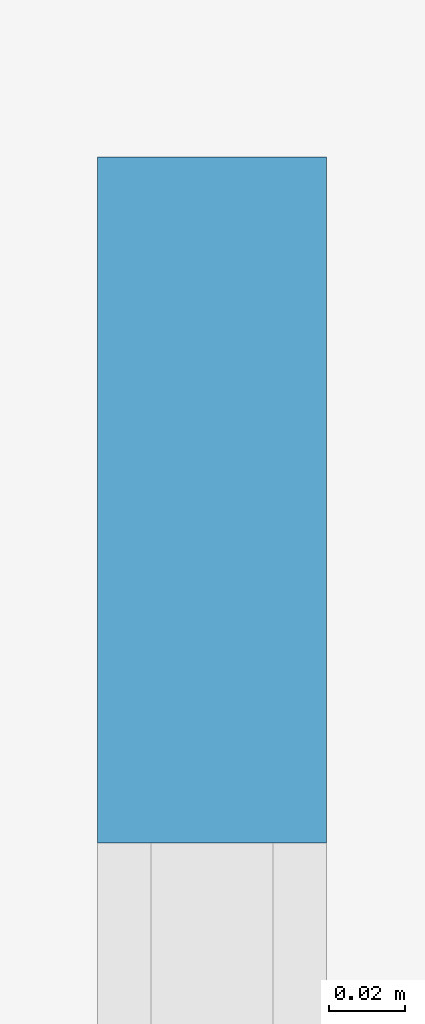
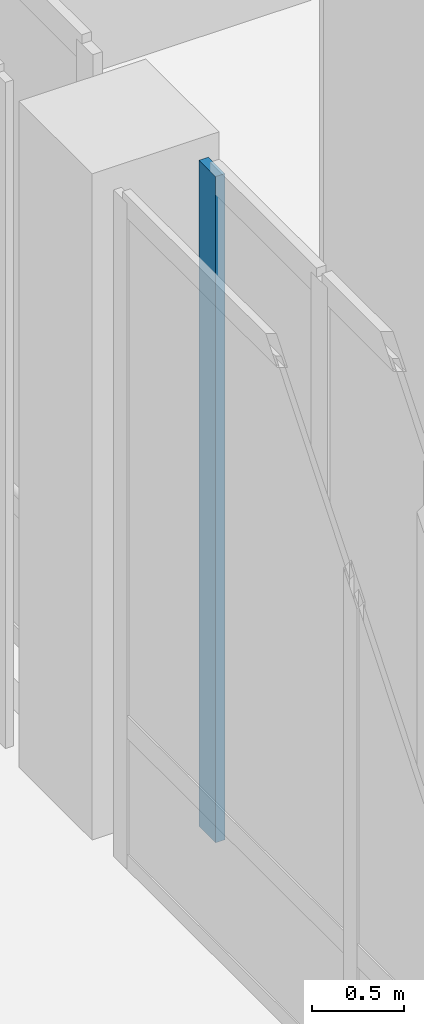
# One storey, part 13 of 79: 1 member, 1 element without a shape of its own.
"""IFC4 building model written with IfcOpenShell, lengths in metres."""

from ifc_helpers import new_model, si_unit, derived_unit, direction, frame, origin, origin_2d, place, context, subcontext, project, spatial, rectangle, extrude, material, layer, layer_set, material_profile, profile_set, type_object, element, aggregate, save


model = new_model("IFC4")

# Units and contexts
model_context = context("Model", 3, precision=1e-05, world=origin(), true_north=direction((0.0, 1.0)))
body_context = subcontext(model_context, "Body", "Model", "MODEL_VIEW")
ifc_project = project(units=[si_unit("LENGTHUNIT", "METRE"), si_unit("AREAUNIT", "SQUARE_METRE"), si_unit("VOLUMEUNIT", "CUBIC_METRE"), si_unit("PLANEANGLEUNIT", "RADIAN"), si_unit("MASSUNIT", "GRAM", prefix="KILO"), derived_unit("THERMALTRANSMITTANCEUNIT", [(si_unit("MASSUNIT", "GRAM", prefix="KILO"), 1), (si_unit("TIMEUNIT", "SECOND"), -3), (si_unit("THERMODYNAMICTEMPERATUREUNIT", "KELVIN"), -1)])], contexts=[model_context])

# Site, building, storey
site_placement = place(None, origin())
site = spatial("IfcSite", under=ifc_project, at=site_placement, CompositionType="ELEMENT")
building_placement = place(site_placement, origin())
building = spatial("IfcBuilding", under=site, at=building_placement, Name="Valcora Ridge Arena", CompositionType="ELEMENT")
storey_placement = place(building_placement, frame((0.0, 0.0, 16.199951171875)))
storey = spatial("IfcBuildingStorey", under=building, at=storey_placement, Name="L03", CompositionType="ELEMENT", Elevation=16.199951171875)

# Curtain wall, member
ifc_material = material(Name="Anodised dark bronze architectural aluminium 6063-T6", Category="aluminium")
ifc_layer = layer(ifc_material, 0.179931640625, Name="Anodised dark bronze architectural aluminium 6063-T6")
ifc_layer_set = layer_set([ifc_layer], Name="Anodised dark bronze architectural aluminium 6063-T6")
curtain_wall_type = type_object("IfcCurtainWallType", Name="TY-CURTAINWALL-CW-V1-GOTH-025X44", PredefinedType="NOTDEFINED", material=ifc_layer_set)
curtain_wall_placement = place(storey_placement, origin())
curtain_wall = element("IfcCurtainWall", 1, at=curtain_wall_placement, inside=storey, type_object=curtain_wall_type, Name="CW-V1-GOTH-025X44 CW-0131", PredefinedType="NOTDEFINED")
ifc_material_profile = material_profile(ifc_material, rectangle(XDim=0.06005859375, YDim=0.179931640625, at=origin_2d()), Name="ALU MULLION 60x180")
ifc_profile_set = profile_set([ifc_material_profile], Name="Anodised dark bronze architectural aluminium 6063-T6")
member_type = type_object("IfcMemberType", Name="TY-MEM-CWM-60x180", PredefinedType="MULLION", material=ifc_profile_set)
member_placement = place(storey_placement, frame((16.199951171875, 63.330078125, 0.0), z_axis=(0.0, 0.0, 1.0), x_axis=(-1.0, 0.0, 0.0)))
member = element("IfcMember", 2, at=member_placement, type_object=member_type, Name="CW-0131/CWM-60x180/M02", PredefinedType="MULLION", context=body_context, shape_type="SweptSolid", body=[
    extrude(rectangle(XDim=0.06005859375, YDim=0.179931640625, at=origin_2d()), origin(), (0.0, 0.0, 1.0), 4.43994140625),
])
aggregate(curtain_wall, [member])

save(model, "model.ifc")
